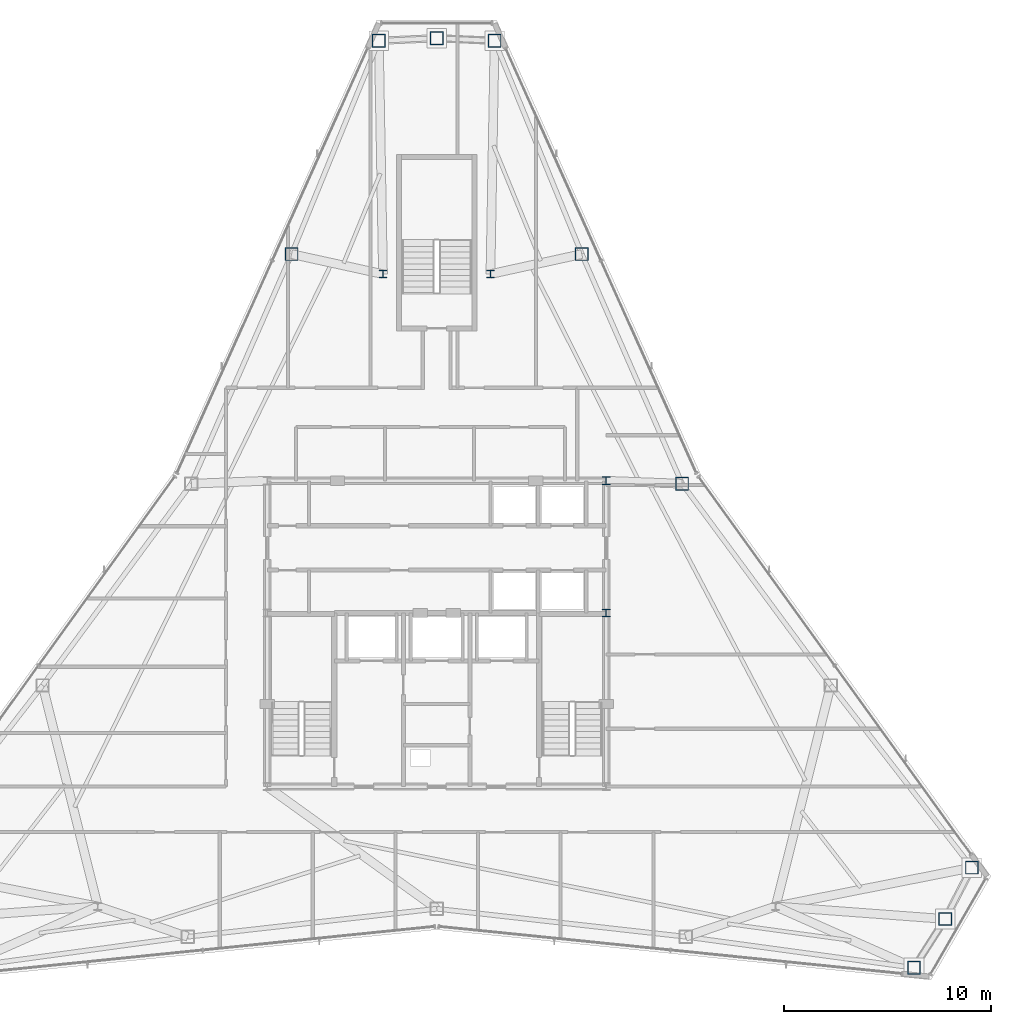
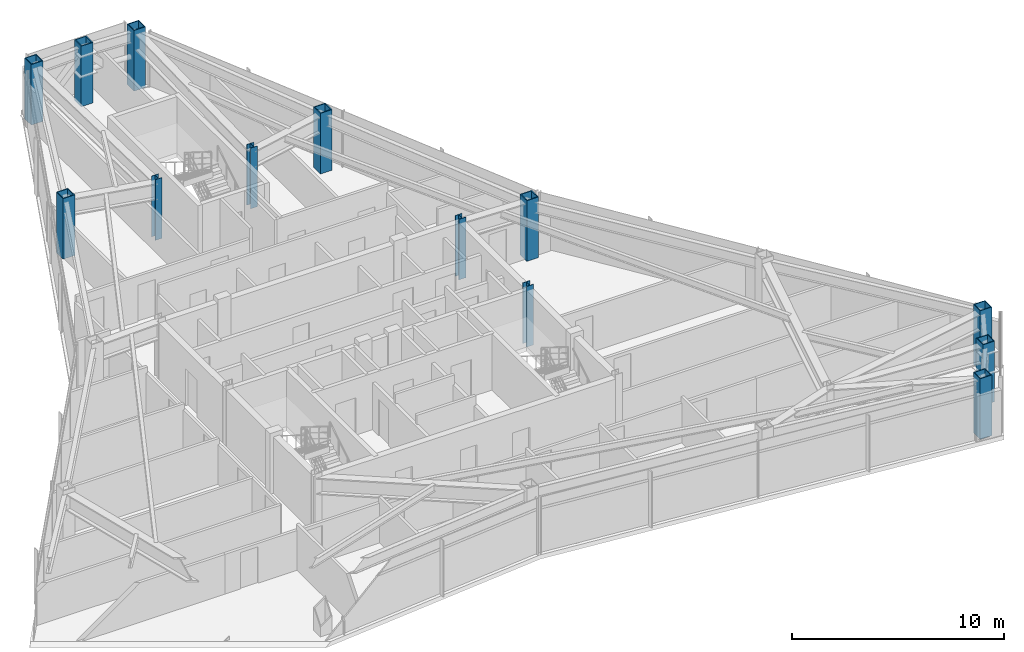
# One storey, part 2 of 12: 13 columns.
"""IFC4 building model written with IfcOpenShell, lengths in metres."""

from ifc_helpers import new_model, si_unit, direction, frame, origin, origin_2d, place, context, subcontext, project, spatial, hollow_rectangle, i_section, extrude, material, material_profile, profile_set, type_object, element, save


model = new_model("IFC4")

# Units and contexts
model_context = context("Model", 3, precision=1e-05, world=origin(), true_north=direction((0.0, 1.0)))
body_context = subcontext(model_context, "Body", "Model", "MODEL_VIEW")
ifc_project = project(units=[si_unit("LENGTHUNIT", "METRE"), si_unit("AREAUNIT", "SQUARE_METRE"), si_unit("VOLUMEUNIT", "CUBIC_METRE"), si_unit("PLANEANGLEUNIT", "RADIAN"), si_unit("MASSUNIT", "GRAM", prefix="KILO")], contexts=[model_context])

# Site, building, storey
site_placement = place(None, origin())
site = spatial("IfcSite", under=ifc_project, at=site_placement, CompositionType="ELEMENT")
building_placement = place(site_placement, origin())
building = spatial("IfcBuilding", under=site, at=building_placement, Name="Varakhsha Concourse Tower", CompositionType="ELEMENT")
storey_placement = place(building_placement, frame((0.0, 0.0, 255.0)))
storey = spatial("IfcBuildingStorey", under=building, at=storey_placement, Name="L72", CompositionType="ELEMENT", Elevation=255.0)

# Columns
ifc_material_1 = material(Name="Structural Steel ASTM A992 Grade 50", Category="steel")
ifc_material_profile_1 = material_profile(ifc_material_1, i_section(OverallWidth=0.3740234375, OverallDepth=0.3720703125, WebThickness=0.01611328125, FlangeThickness=0.02587890625, at=origin_2d()), Name="W14X132")
ifc_profile_set_1 = profile_set([ifc_material_profile_1], Name="Structural Steel ASTM A992 Grade 50")
column_type_1 = type_object("IfcColumnType", Name="CL-CORE-W14X132", PredefinedType="COLUMN", material=ifc_profile_set_1)
for number, where, z_axis, x_axis, name in (
    (1, (48.199951171875, 24.800048828125, 0.0), (0.0, 0.0, 1.0), (1.0, 0.0, 0.0), "L72 Core Column CC-ME"),
    (2, (48.199951171875, 31.199951171875, 0.0), (0.0, 0.0, 1.0), (1.0, 0.0, 0.0), "L72 Core Column CC-NE"),
    (3, (37.39990234375, 41.199951171875, 0.0), (0.0, 0.0, 1.0), (1.0, 0.0, 0.0), "L72 Core Column NS-W"),
    (4, (42.60009765625, 41.199951171875, 0.0), (0.0, 0.0, 1.0), (1.0, 0.0, 0.0), "L72 Core Column NS-E"),
):
    element("IfcColumn", number, at=place(storey_placement, frame(where, z_axis=z_axis, x_axis=x_axis)), inside=storey, type_object=column_type_1, Name=name, PredefinedType="COLUMN", context=body_context, shape_type="SweptSolid", body=[
        extrude(i_section(OverallWidth=0.3740234375, OverallDepth=0.3720703125, WebThickness=0.01611328125, FlangeThickness=0.02587890625, at=origin_2d()), origin(), (0.0, 0.0, 1.0), 3.5),
    ])
ifc_material_2 = material(Name="Structural Steel ASTM A572 Grade 50", Category="steel")
ifc_material_profile_2 = material_profile(ifc_material_2, hollow_rectangle(XDim=0.639892578125, YDim=0.639892578125, WallThickness=0.044921875, at=origin_2d()), Name="BOX 640x640x45")
ifc_profile_set_2 = profile_set([ifc_material_profile_2], Name="Structural Steel ASTM A572 Grade 50")
column_type_2 = type_object("IfcColumnType", Name="CL-TUBE-640", PredefinedType="COLUMN", material=ifc_profile_set_2)
for number, where, z_axis, x_axis, name in (
    (5, (42.80029296875, 52.489990234375, 0.0), (0.0, 0.0, 1.0), (1.0, 0.0, 0.0), "L72 Framed-Tube Column TC01"),
    (6, (40.0, 52.6171875, 0.0), (0.0, 0.0, 1.0), (1.0, 0.0, 0.0), "L72 Framed-Tube Column TC02"),
    (7, (37.19970703125, 52.489990234375, 0.0), (0.0, 0.0, 1.0), (1.0, 0.0, 0.0), "L72 Framed-Tube Column TC03"),
    (8, (32.977294921875, 42.168701171875, 0.0), (0.0, 0.0, 1.0), (1.0, 0.0, 0.0), "L72 Framed-Tube Column TC04"),
    (9, (63.099609375, 7.6298828125, 0.0), (0.0, 0.0, 1.0), (1.0, 0.0, 0.0), "L72 Framed-Tube Column TC13"),
    (10, (64.60986328125, 9.991455078125, 0.0), (0.0, 0.0, 1.0), (1.0, 0.0, 0.0), "L72 Framed-Tube Column TC14"),
    (11, (65.89990234375, 12.47998046875, 0.0), (0.0, 0.0, 1.0), (1.0, 0.0, 0.0), "L72 Framed-Tube Column TC15"),
    (12, (51.874267578125, 31.0556640625, 0.0), (0.0, 0.0, 1.0), (1.0, 0.0, 0.0), "L72 Framed-Tube Column TC17"),
    (13, (47.022705078125, 42.168701171875, 0.0), (0.0, 0.0, 1.0), (1.0, 0.0, 0.0), "L72 Framed-Tube Column TC18"),
):
    element("IfcColumn", number, at=place(storey_placement, frame(where, z_axis=z_axis, x_axis=x_axis)), inside=storey, type_object=column_type_2, Name=name, PredefinedType="COLUMN", context=body_context, shape_type="SweptSolid", body=[
        extrude(hollow_rectangle(XDim=0.639892578125, YDim=0.639892578125, WallThickness=0.044921875, at=origin_2d()), origin(), (0.0, 0.0, 1.0), 3.5),
    ])

save(model, "model.ifc")
